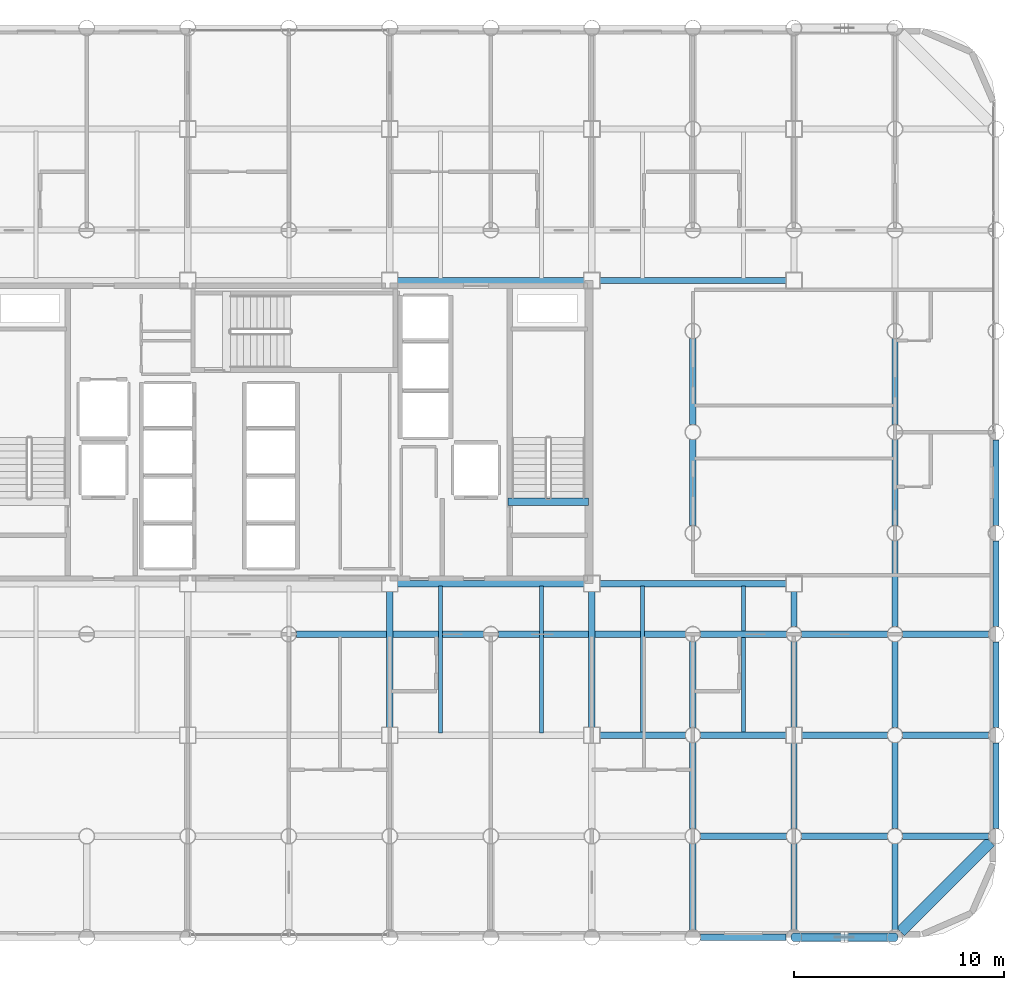
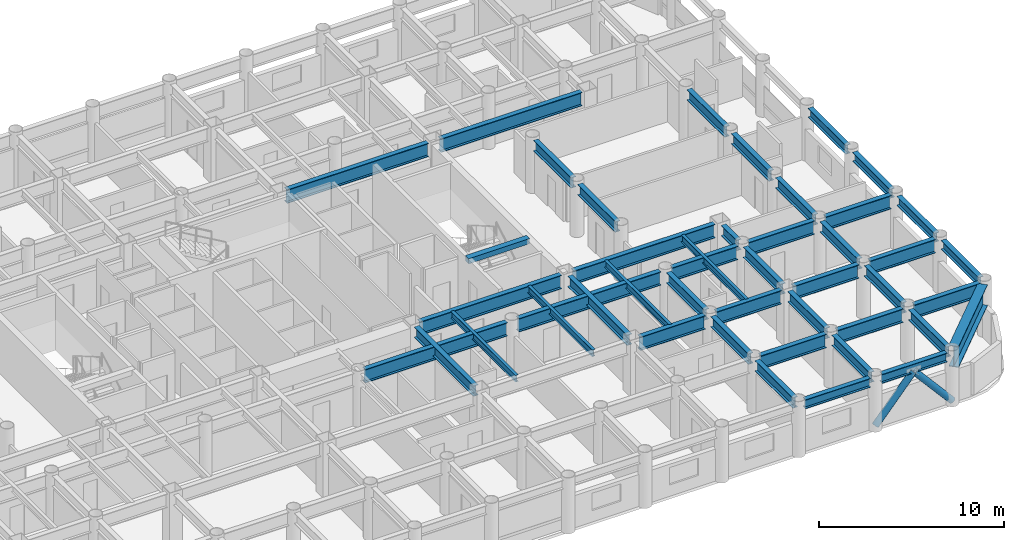
# One storey, part 7 of 20: 45 beams, 2 members.
"""IFC4 building model written with IfcOpenShell, lengths in metres."""

from ifc_helpers import new_model, si_unit, direction, frame, origin, origin_2d, place, context, subcontext, project, spatial, rectangle, hollow_circle, i_section, extrude, material, material_profile, profile_set, type_object, element, save


model = new_model("IFC4")

# Units and contexts
model_context = context("Model", 3, precision=1e-05, world=origin(), true_north=direction((0.0, 1.0)))
body_context = subcontext(model_context, "Body", "Model", "MODEL_VIEW")
ifc_project = project(units=[si_unit("LENGTHUNIT", "METRE"), si_unit("AREAUNIT", "SQUARE_METRE"), si_unit("VOLUMEUNIT", "CUBIC_METRE"), si_unit("PLANEANGLEUNIT", "RADIAN"), si_unit("MASSUNIT", "GRAM", prefix="KILO")], contexts=[model_context])

# Site, building, storey
site_placement = place(None, origin())
site = spatial("IfcSite", under=ifc_project, at=site_placement, CompositionType="ELEMENT")
building_placement = place(site_placement, origin())
building = spatial("IfcBuilding", under=site, at=building_placement, Name="Kallvorn Hotel Tower", CompositionType="ELEMENT")
storey_placement = place(building_placement, frame((0.0, 0.0, 70.699951171875)))
storey = spatial("IfcBuildingStorey", under=building, at=storey_placement, Name="L16", CompositionType="ELEMENT", Elevation=70.699951171875)

# Beams
ifc_material_1 = material(Name="Structural steel S355JR", Category="steel")
ifc_material_profile_1 = material_profile(ifc_material_1, i_section(OverallWidth=0.300048828125, OverallDepth=0.60009765625, WebThickness=0.015380859375, FlangeThickness=0.030029296875, at=origin_2d()), Name="HE 600 B")
ifc_profile_set_1 = profile_set([ifc_material_profile_1], Name="Structural steel S355JR")
beam_type_1 = type_object("IfcBeamType", Name="BM_HE600B", PredefinedType="SPANDREL", material=ifc_profile_set_1)
for number, where, z_axis, x_axis, name in (
    (1, (19.571044921875, -24.0, 3.219970703125), (1.0, 0.0, 0.0), (0.0, 1.0, 0.0), "L17 Perimeter Spandrel 160"),
    (2, (24.37109375, -24.0, 3.219970703125), (1.0, 0.0, 0.0), (0.0, 1.0, 0.0), "L17 Perimeter Spandrel 161"),
):
    element("IfcBeam", number, at=place(storey_placement, frame(where, z_axis=z_axis, x_axis=x_axis)), inside=storey, type_object=beam_type_1, Name=name, PredefinedType="SPANDREL", context=body_context, shape_type="SweptSolid", body=[
        extrude(i_section(OverallWidth=0.300048828125, OverallDepth=0.60009765625, WebThickness=0.015380859375, FlangeThickness=0.030029296875, at=origin_2d()), origin(), (0.0, 0.0, 1.0), 4.057861328125),
    ])
for number, where, z_axis, x_axis, name in (
    (3, (33.60009765625, -18.8291015625, 3.219970703125), (0.0, 1.0, 0.0), (-1.0, 0.0, 0.0), "L17 Perimeter Spandrel 182"),
    (4, (33.60009765625, -14.029052734375, 3.219970703125), (0.0, 1.0, 0.0), (-1.0, 0.0, 0.0), "L17 Perimeter Spandrel 183"),
    (5, (33.60009765625, -9.22900390625, 3.219970703125), (0.0, 1.0, 0.0), (-1.0, 0.0, 0.0), "L17 Perimeter Spandrel 184"),
):
    element("IfcBeam", number, at=place(storey_placement, frame(where, z_axis=z_axis, x_axis=x_axis)), inside=storey, type_object=beam_type_1, Name=name, PredefinedType="SPANDREL", context=body_context, shape_type="SweptSolid", body=[
        extrude(i_section(OverallWidth=0.300048828125, OverallDepth=0.60009765625, WebThickness=0.015380859375, FlangeThickness=0.030029296875, at=origin_2d()), origin(), (0.0, 0.0, 1.0), 4.05810546875),
    ])
beam_1_placement = place(storey_placement, frame((33.60009765625, -4.428955078125, 3.219970703125), z_axis=(0.0, 1.0, 0.0), x_axis=(-1.0, 0.0, 0.0)))
element("IfcBeam", 6, at=beam_1_placement, inside=storey, type_object=beam_type_1, Name="L17 Perimeter Spandrel 185", PredefinedType="SPANDREL", context=body_context, shape_type="SweptSolid", body=[
    extrude(i_section(OverallWidth=0.300048828125, OverallDepth=0.60009765625, WebThickness=0.015380859375, FlangeThickness=0.030029296875, at=origin_2d()), origin(), (0.0, 0.0, 1.0), 4.057861328125),
])
ifc_material_2 = material(Name="Structural steel S355JR", Category="steel")
ifc_material_profile_2 = material_profile(ifc_material_2, i_section(OverallWidth=0.300048828125, OverallDepth=0.699951171875, WebThickness=0.01708984375, FlangeThickness=0.031982421875, at=origin_2d()), Name="HE 700 B")
ifc_profile_set_2 = profile_set([ifc_material_profile_2], Name="Structural steel S355JR")
beam_type_2 = type_object("IfcBeamType", Name="BM_HE700B", PredefinedType="BEAM", material=ifc_profile_set_2)
for number, where, z_axis, x_axis, name in (
    (7, (4.800048828125, -14.02490234375, 3.170166015625), (0.0, 1.0, 0.0), (-1.0, 0.0, 0.0), "L17 Primary Y-Girder 115"),
    (8, (14.39990234375, -14.02490234375, 3.170166015625), (0.0, 1.0, 0.0), (-1.0, 0.0, 0.0), "L17 Primary Y-Girder 123"),
):
    element("IfcBeam", number, at=place(storey_placement, frame(where, z_axis=z_axis, x_axis=x_axis)), inside=storey, type_object=beam_type_2, Name=name, PredefinedType="BEAM", context=body_context, shape_type="SweptSolid", body=[
        extrude(i_section(OverallWidth=0.300048828125, OverallDepth=0.699951171875, WebThickness=0.01708984375, FlangeThickness=0.031982421875, at=origin_2d()), origin(), (0.0, 0.0, 1.0), 6.449951171875),
    ])
beam_2_placement = place(storey_placement, frame((19.199951171875, -23.64404296875, 3.170166015625), z_axis=(0.0, 1.0, 0.0), x_axis=(-1.0, 0.0, 0.0)))
element("IfcBeam", 9, at=beam_2_placement, inside=storey, type_object=beam_type_2, Name="L17 Primary Y-Girder 126", PredefinedType="BEAM", context=body_context, shape_type="SweptSolid", body=[
    extrude(i_section(OverallWidth=0.300048828125, OverallDepth=0.699951171875, WebThickness=0.01708984375, FlangeThickness=0.031982421875, at=origin_2d()), origin(), (0.0, 0.0, 1.0), 4.088134765625),
])
for number, where, z_axis, x_axis, name in (
    (10, (19.199951171875, -18.843994140625, 3.170166015625), (0.0, 1.0, 0.0), (-1.0, 0.0, 0.0), "L17 Primary Y-Girder 127"),
    (11, (19.199951171875, -14.0439453125, 3.170166015625), (0.0, 1.0, 0.0), (-1.0, 0.0, 0.0), "L17 Primary Y-Girder 128"),
):
    element("IfcBeam", number, at=place(storey_placement, frame(where, z_axis=z_axis, x_axis=x_axis)), inside=storey, type_object=beam_type_2, Name=name, PredefinedType="BEAM", context=body_context, shape_type="SweptSolid", body=[
        extrude(i_section(OverallWidth=0.300048828125, OverallDepth=0.699951171875, WebThickness=0.01708984375, FlangeThickness=0.031982421875, at=origin_2d()), origin(), (0.0, 0.0, 1.0), 4.087890625),
    ])
for number, where, z_axis, x_axis, name in (
    (12, (19.199951171875, -4.444091796875, 3.170166015625), (0.0, 1.0, 0.0), (-1.0, 0.0, 0.0), "L17 Primary Y-Girder 130"),
    (13, (19.199951171875, 0.35595703125, 3.170166015625), (0.0, 1.0, 0.0), (-1.0, 0.0, 0.0), "L17 Primary Y-Girder 131"),
    (14, (24.0, -23.64404296875, 3.170166015625), (0.0, 1.0, 0.0), (-1.0, 0.0, 0.0), "L17 Primary Y-Girder 135"),
):
    element("IfcBeam", number, at=place(storey_placement, frame(where, z_axis=z_axis, x_axis=x_axis)), inside=storey, type_object=beam_type_2, Name=name, PredefinedType="BEAM", context=body_context, shape_type="SweptSolid", body=[
        extrude(i_section(OverallWidth=0.300048828125, OverallDepth=0.699951171875, WebThickness=0.01708984375, FlangeThickness=0.031982421875, at=origin_2d()), origin(), (0.0, 0.0, 1.0), 4.088134765625),
    ])
beam_3_placement = place(storey_placement, frame((24.0, -18.843994140625, 3.170166015625), z_axis=(0.0, 1.0, 0.0), x_axis=(-1.0, 0.0, 0.0)))
element("IfcBeam", 15, at=beam_3_placement, inside=storey, type_object=beam_type_2, Name="L17 Primary Y-Girder 136", PredefinedType="BEAM", context=body_context, shape_type="SweptSolid", body=[
    extrude(i_section(OverallWidth=0.300048828125, OverallDepth=0.699951171875, WebThickness=0.01708984375, FlangeThickness=0.031982421875, at=origin_2d()), origin(), (0.0, 0.0, 1.0), 4.069091796875),
])
beam_4_placement = place(storey_placement, frame((24.0, -14.02490234375, 3.170166015625), z_axis=(0.0, 1.0, 0.0), x_axis=(-1.0, 0.0, 0.0)))
element("IfcBeam", 16, at=beam_4_placement, inside=storey, type_object=beam_type_2, Name="L17 Primary Y-Girder 137", PredefinedType="BEAM", context=body_context, shape_type="SweptSolid", body=[
    extrude(i_section(OverallWidth=0.300048828125, OverallDepth=0.699951171875, WebThickness=0.01708984375, FlangeThickness=0.031982421875, at=origin_2d()), origin(), (0.0, 0.0, 1.0), 4.06884765625),
])
beam_5_placement = place(storey_placement, frame((24.0, -9.243896484375, 3.170166015625), z_axis=(0.0, 1.0, 0.0), x_axis=(-1.0, 0.0, 0.0)))
element("IfcBeam", 17, at=beam_5_placement, inside=storey, type_object=beam_type_2, Name="L17 Primary Y-Girder 138", PredefinedType="BEAM", context=body_context, shape_type="SweptSolid", body=[
    extrude(i_section(OverallWidth=0.300048828125, OverallDepth=0.699951171875, WebThickness=0.01708984375, FlangeThickness=0.031982421875, at=origin_2d()), origin(), (0.0, 0.0, 1.0), 1.6689453125),
])
beam_6_placement = place(storey_placement, frame((28.800048828125, -23.64404296875, 3.170166015625), z_axis=(0.0, 1.0, 0.0), x_axis=(-1.0, 0.0, 0.0)))
element("IfcBeam", 18, at=beam_6_placement, inside=storey, type_object=beam_type_2, Name="L17 Primary Y-Girder 142", PredefinedType="BEAM", context=body_context, shape_type="SweptSolid", body=[
    extrude(i_section(OverallWidth=0.300048828125, OverallDepth=0.699951171875, WebThickness=0.01708984375, FlangeThickness=0.031982421875, at=origin_2d()), origin(), (0.0, 0.0, 1.0), 4.088134765625),
])
for number, where, z_axis, x_axis, name in (
    (19, (28.800048828125, -18.843994140625, 3.170166015625), (0.0, 1.0, 0.0), (-1.0, 0.0, 0.0), "L17 Primary Y-Girder 143"),
    (20, (28.800048828125, -14.0439453125, 3.170166015625), (0.0, 1.0, 0.0), (-1.0, 0.0, 0.0), "L17 Primary Y-Girder 144"),
    (21, (28.800048828125, -9.243896484375, 3.170166015625), (0.0, 1.0, 0.0), (-1.0, 0.0, 0.0), "L17 Primary Y-Girder 145"),
):
    element("IfcBeam", number, at=place(storey_placement, frame(where, z_axis=z_axis, x_axis=x_axis)), inside=storey, type_object=beam_type_2, Name=name, PredefinedType="BEAM", context=body_context, shape_type="SweptSolid", body=[
        extrude(i_section(OverallWidth=0.300048828125, OverallDepth=0.699951171875, WebThickness=0.01708984375, FlangeThickness=0.031982421875, at=origin_2d()), origin(), (0.0, 0.0, 1.0), 4.087890625),
    ])
for number, where, z_axis, x_axis, name in (
    (22, (28.800048828125, -4.444091796875, 3.170166015625), (0.0, 1.0, 0.0), (-1.0, 0.0, 0.0), "L17 Primary Y-Girder 146"),
    (23, (28.800048828125, 0.35595703125, 3.170166015625), (0.0, 1.0, 0.0), (-1.0, 0.0, 0.0), "L17 Primary Y-Girder 147"),
):
    element("IfcBeam", number, at=place(storey_placement, frame(where, z_axis=z_axis, x_axis=x_axis)), inside=storey, type_object=beam_type_2, Name=name, PredefinedType="BEAM", context=body_context, shape_type="SweptSolid", body=[
        extrude(i_section(OverallWidth=0.300048828125, OverallDepth=0.699951171875, WebThickness=0.01708984375, FlangeThickness=0.031982421875, at=origin_2d()), origin(), (0.0, 0.0, 1.0), 4.088134765625),
    ])
ifc_material_3 = material(Name="Structural steel S355JR", Category="steel")
ifc_material_profile_3 = material_profile(ifc_material_3, i_section(OverallWidth=0.300048828125, OverallDepth=0.89990234375, WebThickness=0.0185546875, FlangeThickness=0.034912109375, at=origin_2d()), Name="HE 900 B")
ifc_profile_set_3 = profile_set([ifc_material_profile_3], Name="Structural steel S355JR")
beam_type_3 = type_object("IfcBeamType", Name="BM_HE900B", PredefinedType="BEAM", material=ifc_profile_set_3)
for number, where, z_axis, x_axis, name in (
    (24, (19.555908203125, -19.199951171875, 3.070068359375), (1.0, 0.0, 0.0), (0.0, 1.0, 0.0), "L17 Primary X-Girder 11"),
    (25, (24.35595703125, -19.199951171875, 3.070068359375), (1.0, 0.0, 0.0), (0.0, 1.0, 0.0), "L17 Primary X-Girder 12"),
):
    element("IfcBeam", number, at=place(storey_placement, frame(where, z_axis=z_axis, x_axis=x_axis)), inside=storey, type_object=beam_type_3, Name=name, PredefinedType="BEAM", context=body_context, shape_type="SweptSolid", body=[
        extrude(i_section(OverallWidth=0.300048828125, OverallDepth=0.89990234375, WebThickness=0.0185546875, FlangeThickness=0.034912109375, at=origin_2d()), origin(), (0.0, 0.0, 1.0), 4.088134765625),
    ])
beam_7_placement = place(storey_placement, frame((29.156005859375, -19.199951171875, 3.070068359375), z_axis=(1.0, 0.0, 0.0), x_axis=(0.0, 1.0, 0.0)))
element("IfcBeam", 26, at=beam_7_placement, inside=storey, type_object=beam_type_3, Name="L17 Primary X-Girder 13", PredefinedType="BEAM", context=body_context, shape_type="SweptSolid", body=[
    extrude(i_section(OverallWidth=0.300048828125, OverallDepth=0.89990234375, WebThickness=0.0185546875, FlangeThickness=0.034912109375, at=origin_2d()), origin(), (0.0, 0.0, 1.0), 4.087890625),
])
for number, where, z_axis, x_axis, name in (
    (27, (14.77490234375, -14.39990234375, 3.070068359375), (1.0, 0.0, 0.0), (0.0, 1.0, 0.0), "L17 Primary X-Girder 20"),
    (28, (19.555908203125, -14.39990234375, 3.070068359375), (1.0, 0.0, 0.0), (0.0, 1.0, 0.0), "L17 Primary X-Girder 21"),
    (29, (24.375, -14.39990234375, 3.070068359375), (1.0, 0.0, 0.0), (0.0, 1.0, 0.0), "L17 Primary X-Girder 22"),
):
    element("IfcBeam", number, at=place(storey_placement, frame(where, z_axis=z_axis, x_axis=x_axis)), inside=storey, type_object=beam_type_3, Name=name, PredefinedType="BEAM", context=body_context, shape_type="SweptSolid", body=[
        extrude(i_section(OverallWidth=0.300048828125, OverallDepth=0.89990234375, WebThickness=0.0185546875, FlangeThickness=0.034912109375, at=origin_2d()), origin(), (0.0, 0.0, 1.0), 4.069091796875),
    ])
beam_8_placement = place(storey_placement, frame((29.156005859375, -14.39990234375, 3.070068359375), z_axis=(1.0, 0.0, 0.0), x_axis=(0.0, 1.0, 0.0)))
element("IfcBeam", 30, at=beam_8_placement, inside=storey, type_object=beam_type_3, Name="L17 Primary X-Girder 23", PredefinedType="BEAM", context=body_context, shape_type="SweptSolid", body=[
    extrude(i_section(OverallWidth=0.300048828125, OverallDepth=0.89990234375, WebThickness=0.0185546875, FlangeThickness=0.034912109375, at=origin_2d()), origin(), (0.0, 0.0, 1.0), 4.087890625),
])
for number, where, z_axis, x_axis, name in (
    (31, (0.35595703125, -9.60009765625, 3.070068359375), (1.0, 0.0, 0.0), (0.0, 1.0, 0.0), "L17 Primary X-Girder 28"),
    (32, (9.9560546875, -9.60009765625, 3.070068359375), (1.0, 0.0, 0.0), (0.0, 1.0, 0.0), "L17 Primary X-Girder 29"),
):
    element("IfcBeam", number, at=place(storey_placement, frame(where, z_axis=z_axis, x_axis=x_axis)), inside=storey, type_object=beam_type_3, Name=name, PredefinedType="BEAM", context=body_context, shape_type="SweptSolid", body=[
        extrude(i_section(OverallWidth=0.300048828125, OverallDepth=0.89990234375, WebThickness=0.0185546875, FlangeThickness=0.034912109375, at=origin_2d()), origin(), (0.0, 0.0, 1.0), 8.887939453125),
    ])
for number, where, z_axis, x_axis, name in (
    (33, (19.555908203125, -9.60009765625, 3.070068359375), (1.0, 0.0, 0.0), (0.0, 1.0, 0.0), "L17 Primary X-Girder 30"),
    (34, (24.35595703125, -9.60009765625, 3.070068359375), (1.0, 0.0, 0.0), (0.0, 1.0, 0.0), "L17 Primary X-Girder 31"),
):
    element("IfcBeam", number, at=place(storey_placement, frame(where, z_axis=z_axis, x_axis=x_axis)), inside=storey, type_object=beam_type_3, Name=name, PredefinedType="BEAM", context=body_context, shape_type="SweptSolid", body=[
        extrude(i_section(OverallWidth=0.300048828125, OverallDepth=0.89990234375, WebThickness=0.0185546875, FlangeThickness=0.034912109375, at=origin_2d()), origin(), (0.0, 0.0, 1.0), 4.088134765625),
    ])
beam_9_placement = place(storey_placement, frame((29.156005859375, -9.60009765625, 3.070068359375), z_axis=(1.0, 0.0, 0.0), x_axis=(0.0, 1.0, 0.0)))
element("IfcBeam", 35, at=beam_9_placement, inside=storey, type_object=beam_type_3, Name="L17 Primary X-Girder 32", PredefinedType="BEAM", context=body_context, shape_type="SweptSolid", body=[
    extrude(i_section(OverallWidth=0.300048828125, OverallDepth=0.89990234375, WebThickness=0.0185546875, FlangeThickness=0.034912109375, at=origin_2d()), origin(), (0.0, 0.0, 1.0), 4.087890625),
])
beam_10_placement = place(storey_placement, frame((5.175048828125, -7.199951171875, 3.070068359375), z_axis=(1.0, 0.0, 0.0), x_axis=(0.0, 1.0, 0.0)))
element("IfcBeam", 36, at=beam_10_placement, inside=storey, type_object=beam_type_3, Name="L17 Primary X-Girder 35", PredefinedType="BEAM", context=body_context, shape_type="SweptSolid", body=[
    extrude(i_section(OverallWidth=0.300048828125, OverallDepth=0.89990234375, WebThickness=0.0185546875, FlangeThickness=0.034912109375, at=origin_2d()), origin(), (0.0, 0.0, 1.0), 8.849853515625),
])
beam_11_placement = place(storey_placement, frame((14.77490234375, -7.199951171875, 3.070068359375), z_axis=(1.0, 0.0, 0.0), x_axis=(0.0, 1.0, 0.0)))
element("IfcBeam", 37, at=beam_11_placement, inside=storey, type_object=beam_type_3, Name="L17 Primary X-Girder 36", PredefinedType="BEAM", context=body_context, shape_type="SweptSolid", body=[
    extrude(i_section(OverallWidth=0.300048828125, OverallDepth=0.89990234375, WebThickness=0.0185546875, FlangeThickness=0.034912109375, at=origin_2d()), origin(), (0.0, 0.0, 1.0), 8.85009765625),
])
beam_12_placement = place(storey_placement, frame((5.175048828125, 7.199951171875, 3.070068359375), z_axis=(1.0, 0.0, 0.0), x_axis=(0.0, 1.0, 0.0)))
element("IfcBeam", 38, at=beam_12_placement, inside=storey, type_object=beam_type_3, Name="L17 Primary X-Girder 40", PredefinedType="BEAM", context=body_context, shape_type="SweptSolid", body=[
    extrude(i_section(OverallWidth=0.300048828125, OverallDepth=0.89990234375, WebThickness=0.0185546875, FlangeThickness=0.034912109375, at=origin_2d()), origin(), (0.0, 0.0, 1.0), 8.849853515625),
])
beam_13_placement = place(storey_placement, frame((14.77490234375, 7.199951171875, 3.070068359375), z_axis=(1.0, 0.0, 0.0), x_axis=(0.0, 1.0, 0.0)))
element("IfcBeam", 39, at=beam_13_placement, inside=storey, type_object=beam_type_3, Name="L17 Primary X-Girder 41", PredefinedType="BEAM", context=body_context, shape_type="SweptSolid", body=[
    extrude(i_section(OverallWidth=0.300048828125, OverallDepth=0.89990234375, WebThickness=0.0185546875, FlangeThickness=0.034912109375, at=origin_2d()), origin(), (0.0, 0.0, 1.0), 8.85009765625),
])
ifc_material_4 = material(Name="Structural steel S355JR", Category="steel")
ifc_material_profile_4 = material_profile(ifc_material_4, i_section(OverallWidth=0.18994140625, OverallDepth=0.449951171875, WebThickness=0.009521484375, FlangeThickness=0.0146484375, at=origin_2d()), Name="IPE 450")
ifc_profile_set_4 = profile_set([ifc_material_profile_4], Name="Structural steel S355JR")
beam_type_4 = type_object("IfcBeamType", Name="BM_IPE450", PredefinedType="JOIST", material=ifc_profile_set_4)
for number, where, z_axis, x_axis, name in (
    (40, (7.199951171875, -14.300048828125, 3.295166015625), (0.0, 1.0, 0.0), (-1.0, 0.0, 0.0), "L17 Secondary Composite Joist 202"),
    (41, (12.0, -14.300048828125, 3.295166015625), (0.0, 1.0, 0.0), (-1.0, 0.0, 0.0), "L17 Secondary Composite Joist 204"),
    (42, (16.800048828125, -14.300048828125, 3.295166015625), (0.0, 1.0, 0.0), (-1.0, 0.0, 0.0), "L17 Secondary Composite Joist 206"),
    (43, (21.60009765625, -14.300048828125, 3.295166015625), (0.0, 1.0, 0.0), (-1.0, 0.0, 0.0), "L17 Secondary Composite Joist 208"),
):
    element("IfcBeam", number, at=place(storey_placement, frame(where, z_axis=z_axis, x_axis=x_axis)), inside=storey, type_object=beam_type_4, Name=name, PredefinedType="JOIST", context=body_context, shape_type="SweptSolid", body=[
        extrude(i_section(OverallWidth=0.18994140625, OverallDepth=0.449951171875, WebThickness=0.009521484375, FlangeThickness=0.0146484375, at=origin_2d()), origin(), (0.0, 0.0, 1.0), 7.0),
    ])
ifc_material_5 = material(Name="Structural steel S355JR", Category="steel")
ifc_material_profile_5 = material_profile(ifc_material_5, i_section(OverallWidth=0.550048828125, OverallDepth=1.39990234375, WebThickness=0.02490234375, FlangeThickness=0.044921875, at=origin_2d()), Name="PG 1400x550x25x45")
ifc_profile_set_5 = profile_set([ifc_material_profile_5], Name="Structural steel S355JR")
beam_type_5 = type_object("IfcBeamType", Name="BM_PG_1400", PredefinedType="BEAM", material=ifc_profile_set_5)
beam_14_placement = place(storey_placement, frame((33.337646484375, -19.46240234375, 2.820068359375), z_axis=(-0.707106781187, -0.707106781187, 0.0), x_axis=(0.707106781187, -0.707106781187, 0.0)))
element("IfcBeam", 44, at=beam_14_placement, inside=storey, type_object=beam_type_5, Name="L17 Rounded Corner Tie Beam 190", PredefinedType="BEAM", context=body_context, shape_type="SweptSolid", body=[
    extrude(i_section(OverallWidth=0.550048828125, OverallDepth=1.39990234375, WebThickness=0.02490234375, FlangeThickness=0.044921875, at=origin_2d()), origin(), (0.0, 0.0, 1.0), 6.04638671875),
])
ifc_material_6 = material(Name="Concrete C50/60", Category="concrete")
ifc_material_profile_6 = material_profile(ifc_material_6, rectangle(XDim=0.360107421875, YDim=0.340087890625, at=origin_2d()), Name="RC 360x340")
ifc_profile_set_6 = profile_set([ifc_material_profile_6], Name="Concrete C50/60")
beam_type_6 = type_object("IfcBeamType", Name="BM_RC_400x360", PredefinedType="BEAM", material=ifc_profile_set_6)
beam_15_placement = place(storey_placement, frame((14.239990234375, -3.31005859375, 3.35009765625), z_axis=(-1.0, 0.0, 0.0), x_axis=(0.0, -1.0, 0.0)))
element("IfcBeam", 45, at=beam_15_placement, inside=storey, type_object=beam_type_6, Name="L17 Stair ST2 Arrival Trimmer Beam", PredefinedType="BEAM", context=body_context, shape_type="SweptSolid", body=[
    extrude(rectangle(XDim=0.360107421875, YDim=0.340087890625, at=origin_2d()), origin(), (0.0, 0.0, 1.0), 3.820068359375),
])

# Members
ifc_material_7 = material(Name="Structural steel S355J2H", Category="steel")
ifc_material_profile_7 = material_profile(ifc_material_7, hollow_circle(Radius=0.203125, WallThickness=0.01611328125, at=origin_2d()), Name="CHS 406.4x16")
ifc_profile_set_7 = profile_set([ifc_material_profile_7], Name="Structural steel S355J2H")
member_type = type_object("IfcMemberType", Name="MBR_EXO_CHS406", PredefinedType="BRACE", material=ifc_profile_set_7)
for number, where, z_axis, x_axis, name in (
    (46, (24.01318359375, -24.0, 0.195068359375), (0.653427382465, 0.0, 0.756989204576), (0.0, 1.0, 0.0), "L16 Exoskeleton K-Brace S2A"),
    (47, (28.786865234375, -24.0, 0.195068359375), (-0.653427382465, 0.0, 0.756989204576), (0.0, -1.0, 0.0), "L16 Exoskeleton K-Brace S2B"),
):
    element("IfcMember", number, at=place(storey_placement, frame(where, z_axis=z_axis, x_axis=x_axis)), inside=storey, type_object=member_type, Name=name, PredefinedType="BRACE", context=body_context, shape_type="SweptSolid", body=[
        extrude(hollow_circle(Radius=0.203125, WallThickness=0.01611328125, at=origin_2d()), origin(), (0.0, 0.0, 1.0), 3.6328125),
    ])

save(model, "model.ifc")
